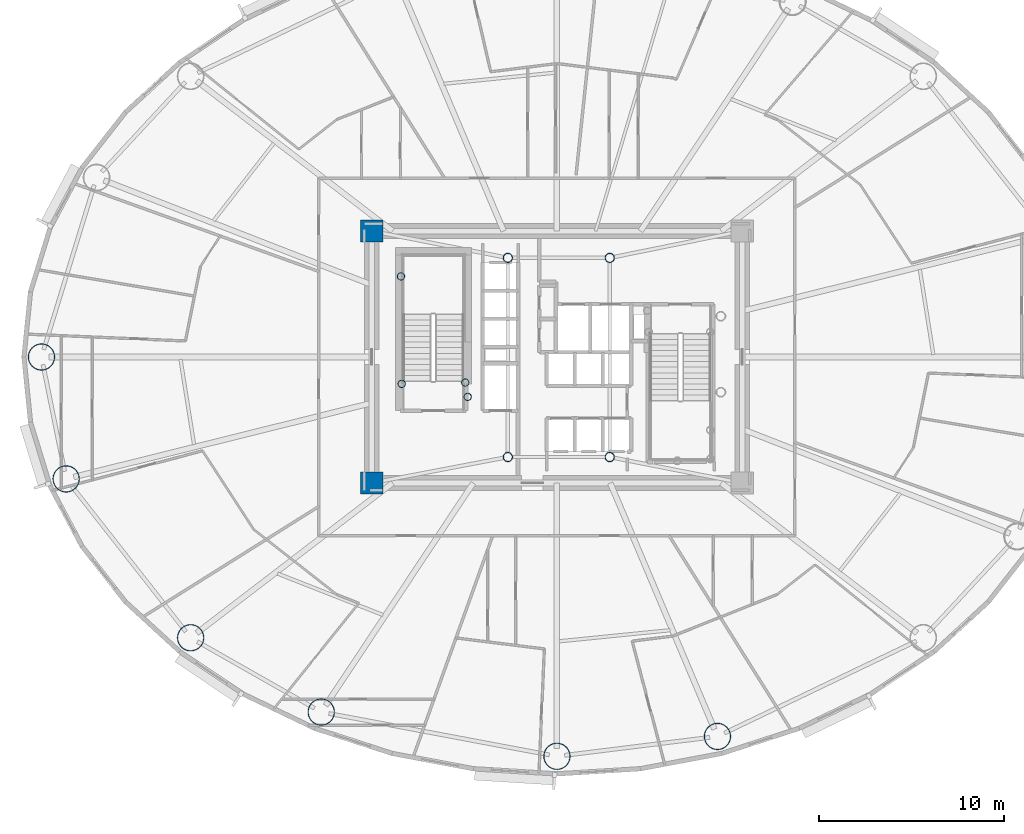
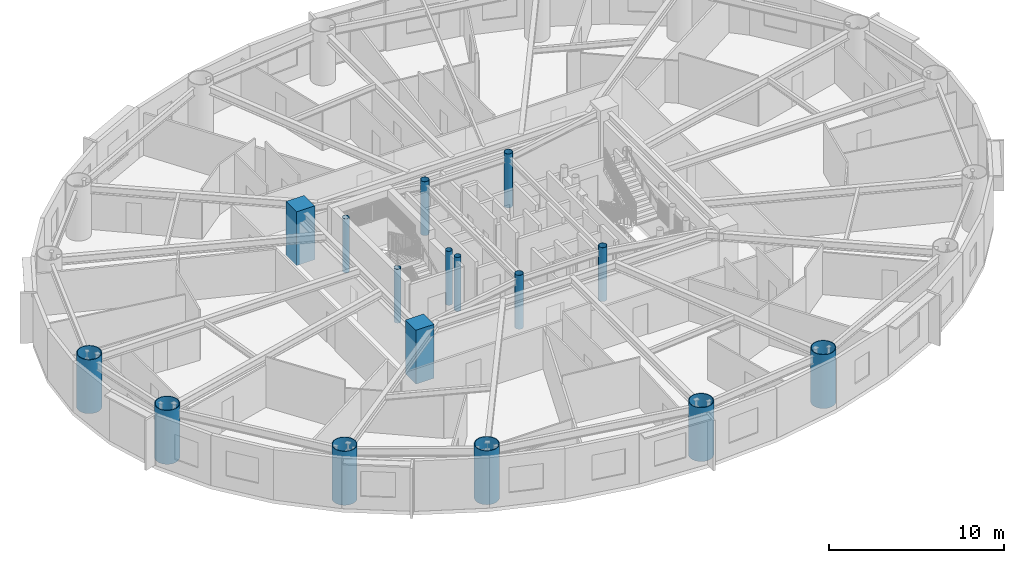
# One storey, part 1 of 18: 16 columns.
"""IFC4 building model written with IfcOpenShell, lengths in metres."""

from ifc_helpers import new_model, si_unit, direction, frame, origin, origin_2d, place, context, subcontext, project, spatial, rectangle, hollow_circle, extrude, material, material_profile, profile_set, type_object, element, save


model = new_model("IFC4")

# Units and contexts
model_context = context("Model", 3, precision=1e-05, world=origin(), true_north=direction((0.0, 1.0)))
body_context = subcontext(model_context, "Body", "Model", "MODEL_VIEW")
ifc_project = project(units=[si_unit("LENGTHUNIT", "METRE"), si_unit("AREAUNIT", "SQUARE_METRE"), si_unit("VOLUMEUNIT", "CUBIC_METRE"), si_unit("PLANEANGLEUNIT", "RADIAN"), si_unit("MASSUNIT", "GRAM", prefix="KILO")], contexts=[model_context])

# Site, building, storey
site_placement = place(None, origin())
site = spatial("IfcSite", under=ifc_project, at=site_placement, CompositionType="ELEMENT")
building_placement = place(site_placement, origin())
building = spatial("IfcBuilding", under=site, at=building_placement, Name="Linh Dai School and Residence Tower", CompositionType="ELEMENT")
storey_placement = place(building_placement, frame((0.0, 0.0, 123.449951171875)))
storey = spatial("IfcBuildingStorey", under=building, at=storey_placement, Name="L29", CompositionType="ELEMENT", Elevation=123.449951171875)

# Columns
ifc_material_1 = material(Name="Concrete B60 (C50/60)", Category="concrete")
ifc_material_profile_1 = material_profile(ifc_material_1, rectangle(XDim=1.199951171875, YDim=1.199951171875, at=origin_2d()), Name="RC 1200x1200")
ifc_profile_set_1 = profile_set([ifc_material_profile_1], Name="Concrete B60 (C50/60)")
column_type_1 = type_object("IfcColumnType", Name="COL-CC2", PredefinedType="COLUMN", material=ifc_profile_set_1)
for number, where, z_axis, x_axis, name in (
    (1, (26.0, 20.199951171875, 0.0), (0.0, 0.0, 1.0), (1.0, 0.0, 0.0), "L29 Core Corner Pier CC1"),
    (2, (26.0, 33.800048828125, 0.0), (0.0, 0.0, 1.0), (1.0, 0.0, 0.0), "L29 Core Corner Pier CC4"),
):
    element("IfcColumn", number, at=place(storey_placement, frame(where, z_axis=z_axis, x_axis=x_axis)), inside=storey, type_object=column_type_1, Name=name, PredefinedType="COLUMN", context=body_context, shape_type="SweptSolid", body=[
        extrude(rectangle(XDim=1.199951171875, YDim=1.199951171875, at=origin_2d()), origin(), (0.0, 0.0, 1.0), 3.75),
    ])
ifc_material_2 = material(Name="Structural Steel S355JR", Category="steel")
ifc_material_profile_2 = material_profile(ifc_material_2, hollow_circle(Radius=0.203125, WallThickness=0.01611328125, at=origin_2d()), Name="CHS 406.4x16")
ifc_profile_set_2 = profile_set([ifc_material_profile_2], Name="Structural Steel S355JR")
column_type_2 = type_object("IfcColumnType", Name="COL-EC", PredefinedType="COLUMN", material=ifc_profile_set_2)
for number, where, z_axis, x_axis, name in (
    (3, (27.580078125, 31.35009765625, 0.0), (0.0, 0.0, 1.0), (1.0, 0.0, 0.0), "L29 Stair Shaft Landing Support Pier ST1NW"),
    (4, (31.050048828125, 25.6201171875, 0.0), (0.0, 0.0, 1.0), (1.0, 0.0, 0.0), "L29 Stair Shaft Landing Support Pier ST1SE"),
    (5, (31.179931640625, 24.85009765625, 0.0), (0.0, 0.0, 1.0), (1.0, 0.0, 0.0), "L29 Stair Shaft Landing Support Pier ST1SM"),
    (6, (27.6201171875, 25.550048828125, 0.0), (0.0, 0.0, 1.0), (1.0, 0.0, 0.0), "L29 Stair Shaft Landing Support Pier ST1SW"),
):
    element("IfcColumn", number, at=place(storey_placement, frame(where, z_axis=z_axis, x_axis=x_axis)), inside=storey, type_object=column_type_2, Name=name, PredefinedType="COLUMN", context=body_context, shape_type="SweptSolid", body=[
        extrude(hollow_circle(Radius=0.203125, WallThickness=0.01611328125, at=origin_2d()), origin(), (0.0, 0.0, 1.0), 3.75),
    ])
ifc_material_profile_3 = material_profile(ifc_material_2, hollow_circle(Radius=0.72509765625, WallThickness=0.0419921875, at=origin_2d()), Name="CHS 1450x42")
ifc_profile_set_3 = profile_set([ifc_material_profile_3], Name="Structural Steel S355JR")
column_type_3 = type_object("IfcColumnType", Name="COL-MC3", PredefinedType="COLUMN", material=ifc_profile_set_3)
for number, where, z_axis, x_axis, name in (
    (7, (8.175048828125, 27.0, 0.0), (0.0, 0.0, 1.0), (1.0, 0.0, 0.0), "L29 Perimeter CFT Mega-Column MC09"),
    (8, (9.50732421875, 20.4189453125, 0.0), (0.0, 0.0, 1.0), (1.0, 0.0, 0.0), "L29 Perimeter CFT Mega-Column MC10"),
    (9, (16.227294921875, 11.844482421875, 0.0), (0.0, 0.0, 1.0), (1.0, 0.0, 0.0), "L29 Perimeter CFT Mega-Column MC11"),
    (10, (23.278076171875, 7.8349609375, 0.0), (0.0, 0.0, 1.0), (1.0, 0.0, 0.0), "L29 Perimeter CFT Mega-Column MC12"),
    (11, (36.0, 5.445068359375, 0.0), (0.0, 0.0, 1.0), (1.0, 0.0, 0.0), "L29 Perimeter CFT Mega-Column MC13"),
    (12, (44.66552734375, 6.519287109375, 0.0), (0.0, 0.0, 1.0), (1.0, 0.0, 0.0), "L29 Perimeter CFT Mega-Column MC14"),
):
    element("IfcColumn", number, at=place(storey_placement, frame(where, z_axis=z_axis, x_axis=x_axis)), inside=storey, type_object=column_type_3, Name=name, PredefinedType="COLUMN", context=body_context, shape_type="SweptSolid", body=[
        extrude(hollow_circle(Radius=0.72509765625, WallThickness=0.0419921875, at=origin_2d()), origin(), (0.0, 0.0, 1.0), 3.75),
    ])
ifc_material_profile_4 = material_profile(ifc_material_2, hollow_circle(Radius=0.25390625, WallThickness=0.02001953125, at=origin_2d()), Name="CHS 508x20")
ifc_profile_set_4 = profile_set([ifc_material_profile_4], Name="Structural Steel S355JR")
column_type_4 = type_object("IfcColumnType", Name="COL-MCP", PredefinedType="COLUMN", material=ifc_profile_set_4)
for number, where, z_axis, x_axis, name in (
    (13, (33.35009765625, 21.60009765625, 0.0), (0.0, 0.0, 1.0), (1.0, 0.0, 0.0), "L29 Core Mast Support Pier MCP1"),
    (14, (38.85009765625, 21.60009765625, 0.0), (0.0, 0.0, 1.0), (1.0, 0.0, 0.0), "L29 Core Mast Support Pier MCP2"),
    (15, (38.85009765625, 32.35009765625, 0.0), (0.0, 0.0, 1.0), (1.0, 0.0, 0.0), "L29 Core Mast Support Pier MCP3"),
    (16, (33.35009765625, 32.35009765625, 0.0), (0.0, 0.0, 1.0), (1.0, 0.0, 0.0), "L29 Core Mast Support Pier MCP4"),
):
    element("IfcColumn", number, at=place(storey_placement, frame(where, z_axis=z_axis, x_axis=x_axis)), inside=storey, type_object=column_type_4, Name=name, PredefinedType="COLUMN", context=body_context, shape_type="SweptSolid", body=[
        extrude(hollow_circle(Radius=0.25390625, WallThickness=0.02001953125, at=origin_2d()), origin(), (0.0, 0.0, 1.0), 3.75),
    ])

save(model, "model.ifc")
